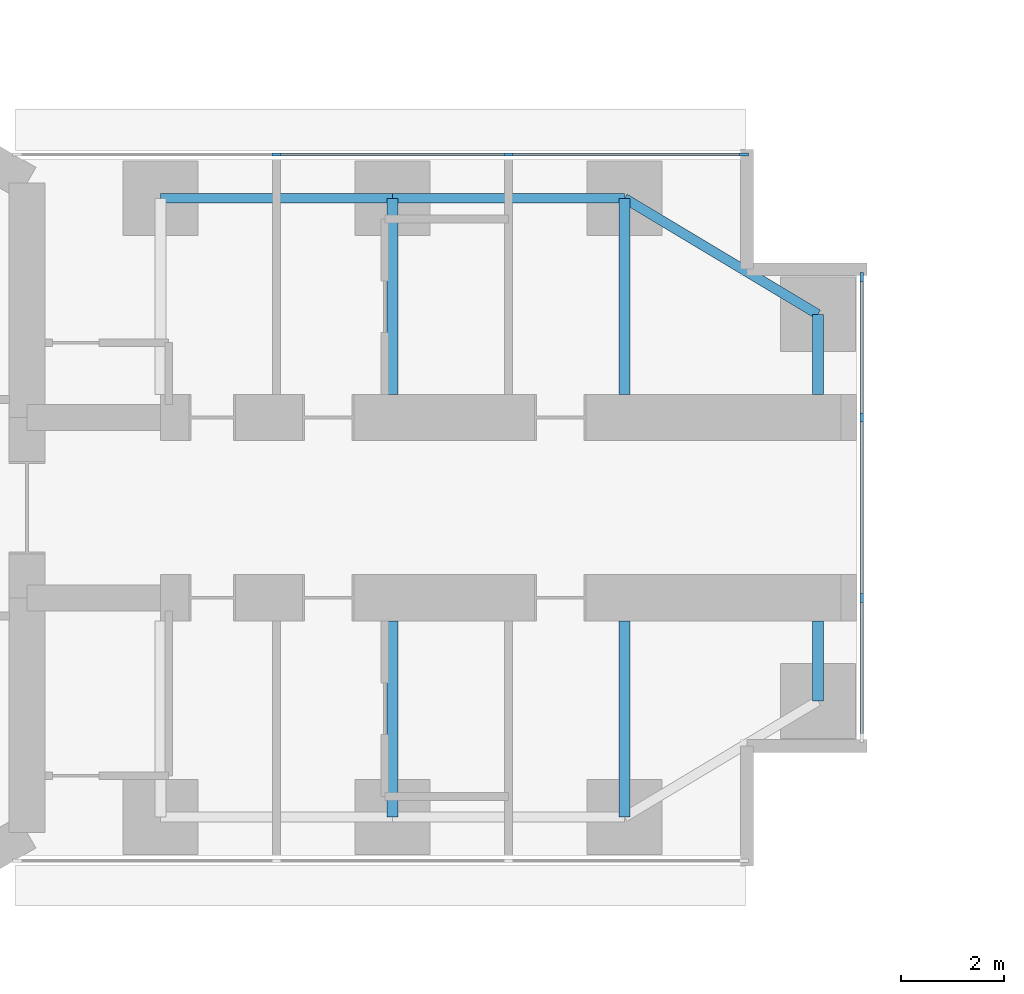
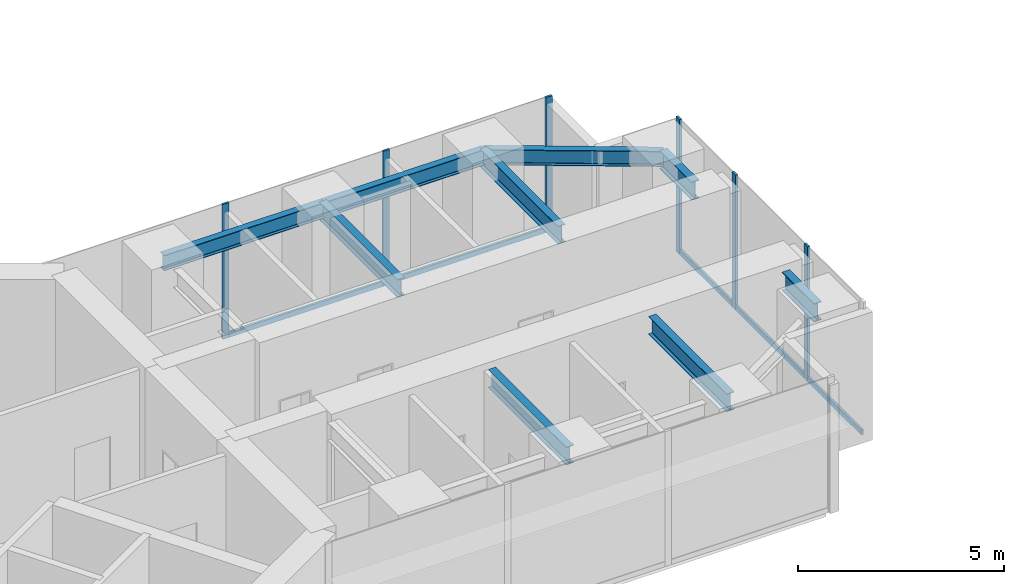
# One storey, part 8 of 24: 11 members, 9 beams, 2 elements without a shape of their own.
"""IFC4 building model written with IfcOpenShell, lengths in metres."""

from ifc_helpers import new_model, si_unit, direction, frame, origin, origin_2d, place, context, subcontext, project, spatial, rectangle, i_section, extrude, material, material_profile, profile_set, type_object, element, aggregate, save


model = new_model("IFC4")

# Units and contexts
model_context = context("Model", 3, precision=1e-05, world=origin(), true_north=direction((0.0, 1.0)))
body_context = subcontext(model_context, "Body", "Model", "MODEL_VIEW")
ifc_project = project(units=[si_unit("LENGTHUNIT", "METRE"), si_unit("AREAUNIT", "SQUARE_METRE"), si_unit("VOLUMEUNIT", "CUBIC_METRE"), si_unit("PLANEANGLEUNIT", "RADIAN"), si_unit("MASSUNIT", "GRAM", prefix="KILO")], contexts=[model_context])

# Site, building, storey
site_placement = place(None, origin())
site = spatial("IfcSite", under=ifc_project, at=site_placement, CompositionType="ELEMENT")
building_placement = place(site_placement, origin())
building = spatial("IfcBuilding", under=site, at=building_placement, Name="Upepo Twin Towers", CompositionType="ELEMENT")
storey_placement = place(building_placement, frame((0.0, 0.0, 64.5)))
storey = spatial("IfcBuildingStorey", under=building, at=storey_placement, Name="L15", CompositionType="ELEMENT", Elevation=64.5)

# Beams
ifc_material_1 = material(Name="Steel S355", Category="steel")
ifc_material_profile_1 = material_profile(ifc_material_1, i_section(OverallWidth=0.1904296875, OverallDepth=0.45703125, WebThickness=0.009033203125, FlangeThickness=0.014404296875, FilletRadius=0.01025390625, at=origin_2d()), Name="UB 457x191x74")
ifc_profile_set_1 = profile_set([ifc_material_profile_1], Name="Steel S355")
beam_type_1 = type_object("IfcBeamType", Name="Beam UB 457x191x74", PredefinedType="BEAM", material=ifc_profile_set_1)
for number, where, z_axis, x_axis, name in (
    (1, (13.5, 6.0, 3.571533203125), (1.0, 0.0, 0.0), (0.0, 1.0, 0.0), "T1 edge beam AL 13.5-18.0"),
    (2, (18.0, 6.0, 3.571533203125), (1.0, 0.0, 0.0), (0.0, 1.0, 0.0), "T1 edge beam AL 18.0-22.5"),
):
    element("IfcBeam", number, at=place(storey_placement, frame(where, z_axis=z_axis, x_axis=x_axis)), inside=storey, type_object=beam_type_1, Name=name, PredefinedType="BEAM", context=body_context, shape_type="SweptSolid", body=[
        extrude(i_section(OverallWidth=0.1904296875, OverallDepth=0.45703125, WebThickness=0.009033203125, FlangeThickness=0.014404296875, FilletRadius=0.01025390625, at=origin_2d()), origin(), (0.0, 0.0, 1.0), 4.5),
    ])
beam_placement = place(storey_placement, frame((22.5, 6.0, 3.571533203125), z_axis=(0.857492925713, -0.514495755428, 0.0), x_axis=(0.514495755428, 0.857492925713, 0.0)))
element("IfcBeam", 3, at=beam_placement, inside=storey, type_object=beam_type_1, Name="T1 nose edge beam AL", PredefinedType="BEAM", context=body_context, shape_type="SweptSolid", body=[
    extrude(i_section(OverallWidth=0.1904296875, OverallDepth=0.45703125, WebThickness=0.009033203125, FlangeThickness=0.014404296875, FilletRadius=0.01025390625, at=origin_2d()), origin(), (0.0, 0.0, 1.0), 4.373291015625),
])
ifc_material_2 = material(Name="Steel S355", Category="steel")
ifc_material_profile_2 = material_profile(ifc_material_2, i_section(OverallWidth=0.2119140625, OverallDepth=0.54443359375, WebThickness=0.0126953125, FlangeThickness=0.021240234375, FilletRadius=0.0126953125, at=origin_2d()), Name="UB 533x210x122")
ifc_profile_set_2 = profile_set([ifc_material_profile_2], Name="Steel S355")
beam_type_2 = type_object("IfcBeamType", Name="Beam UB 533x210x122", PredefinedType="BEAM", material=ifc_profile_set_2)
for number, where, z_axis, x_axis, name in (
    (4, (26.25, 3.75, 3.52783203125), (0.0, -1.0, 0.0), (1.0, 0.0, 0.0), "T1 nose beam AL"),
    (5, (26.25, -3.75, 3.52783203125), (0.0, 1.0, 0.0), (-1.0, 0.0, 0.0), "T1 nose beam AR"),
):
    element("IfcBeam", number, at=place(storey_placement, frame(where, z_axis=z_axis, x_axis=x_axis)), inside=storey, type_object=beam_type_2, Name=name, PredefinedType="BEAM", context=body_context, shape_type="SweptSolid", body=[
        extrude(i_section(OverallWidth=0.2119140625, OverallDepth=0.54443359375, WebThickness=0.0126953125, FlangeThickness=0.021240234375, FilletRadius=0.0126953125, at=origin_2d()), origin(), (0.0, 0.0, 1.0), 1.550048828125),
    ])
ifc_material_3 = material(Name="Steel S355", Category="steel")
ifc_material_profile_3 = material_profile(ifc_material_3, i_section(OverallWidth=0.209228515625, OverallDepth=0.533203125, WebThickness=0.010009765625, FlangeThickness=0.015625, FilletRadius=0.0126953125, at=origin_2d()), Name="UB 533x210x92")
ifc_profile_set_3 = profile_set([ifc_material_profile_3], Name="Steel S355")
beam_type_3 = type_object("IfcBeamType", Name="Beam UB 533x210x92", PredefinedType="BEAM", material=ifc_profile_set_3)
for number, where, z_axis, x_axis, name in (
    (6, (18.0, 6.0, 3.533447265625), (0.0, -1.0, 0.0), (1.0, 0.0, 0.0), "T1 girder AL at 18.0"),
    (7, (22.5, 6.0, 3.533447265625), (0.0, -1.0, 0.0), (1.0, 0.0, 0.0), "T1 girder AL at 22.5"),
    (8, (18.0, -6.0, 3.533447265625), (0.0, 1.0, 0.0), (-1.0, 0.0, 0.0), "T1 girder AR at 18.0"),
    (9, (22.5, -6.0, 3.533447265625), (0.0, 1.0, 0.0), (-1.0, 0.0, 0.0), "T1 girder AR at 22.5"),
):
    element("IfcBeam", number, at=place(storey_placement, frame(where, z_axis=z_axis, x_axis=x_axis)), inside=storey, type_object=beam_type_3, Name=name, PredefinedType="BEAM", context=body_context, shape_type="SweptSolid", body=[
        extrude(i_section(OverallWidth=0.209228515625, OverallDepth=0.533203125, WebThickness=0.010009765625, FlangeThickness=0.015625, FilletRadius=0.0126953125, at=origin_2d()), origin(), (0.0, 0.0, 1.0), 3.800048828125),
    ])

# Curtain wall, members
ifc_material_4 = material(Name="Aluminium and fritted glass", Category="aluminium")
curtain_wall_type = type_object("IfcCurtainWallType", Name="Tower curtain wall TW1, fritted glass", PredefinedType="NOTDEFINED", material=ifc_material_4)
curtain_wall_1_placement = place(storey_placement, origin())
curtain_wall_1 = element("IfcCurtainWall", 10, at=curtain_wall_1_placement, inside=storey, type_object=curtain_wall_type, Name="T1 L15 wing A flank L curtain wall", PredefinedType="NOTDEFINED")
ifc_material_5 = material(Name="Aluminium mullion", Category="aluminium")
ifc_material_profile_4 = material_profile(ifc_material_5, rectangle(XDim=0.06494140625, YDim=0.179931640625, at=origin_2d()), Name="MULLION 65x180")
ifc_profile_set_4 = profile_set([ifc_material_profile_4], Name="Aluminium mullion")
member_type_1 = type_object("IfcMemberType", Name="Mullion 65x180 TW1", PredefinedType="MULLION", material=ifc_profile_set_4)
member_1_placement = place(storey_placement, frame((15.75, 6.85009765625, 0.0), z_axis=(0.0, 0.0, 1.0), x_axis=(0.0, 1.0, 0.0)))
member_1 = element("IfcMember", 11, at=member_1_placement, type_object=member_type_1, Name="T1 L15 wing A flank L curtain wall mullion 2", PredefinedType="MULLION", context=body_context, shape_type="SweptSolid", body=[
    extrude(rectangle(XDim=0.06494140625, YDim=0.179931640625, at=origin_2d()), origin(), (0.0, 0.0, 1.0), 4.0),
])
member_2_placement = place(storey_placement, frame((20.25, 6.85009765625, 0.0), z_axis=(0.0, 0.0, 1.0), x_axis=(0.0, 1.0, 0.0)))
member_2 = element("IfcMember", 12, at=member_2_placement, type_object=member_type_1, Name="T1 L15 wing A flank L curtain wall mullion 3", PredefinedType="MULLION", context=body_context, shape_type="SweptSolid", body=[
    extrude(rectangle(XDim=0.06494140625, YDim=0.179931640625, at=origin_2d()), origin(), (0.0, 0.0, 1.0), 4.0),
])
member_3_placement = place(storey_placement, frame((24.8173828125, 6.85009765625, 0.0), z_axis=(0.0, 0.0, 1.0), x_axis=(0.0, 1.0, 0.0)))
member_3 = element("IfcMember", 13, at=member_3_placement, type_object=member_type_1, Name="T1 L15 wing A flank L curtain wall mullion 4", PredefinedType="MULLION", context=body_context, shape_type="SweptSolid", body=[
    extrude(rectangle(XDim=0.06494140625, YDim=0.179931640625, at=origin_2d()), origin(), (0.0, 0.0, 1.0), 4.0),
])

curtain_wall_2_placement = place(storey_placement, origin())
curtain_wall_2 = element("IfcCurtainWall", 14, at=curtain_wall_2_placement, inside=storey, type_object=curtain_wall_type, Name="T1 L15 wing A nose curtain wall", PredefinedType="NOTDEFINED")
member_4_placement = place(storey_placement, frame((27.10009765625, -1.75, 0.0), z_axis=(0.0, 0.0, 1.0), x_axis=(-1.0, 0.0, 0.0)))
member_4 = element("IfcMember", 15, at=member_4_placement, type_object=member_type_1, Name="T1 L15 wing A nose curtain wall mullion 2", PredefinedType="MULLION", context=body_context, shape_type="SweptSolid", body=[
    extrude(rectangle(XDim=0.06494140625, YDim=0.179931640625, at=origin_2d()), origin(), (0.0, 0.0, 1.0), 4.0),
])
member_5_placement = place(storey_placement, frame((27.10009765625, 1.75, 0.0), z_axis=(0.0, 0.0, 1.0), x_axis=(-1.0, 0.0, 0.0)))
member_5 = element("IfcMember", 16, at=member_5_placement, type_object=member_type_1, Name="T1 L15 wing A nose curtain wall mullion 3", PredefinedType="MULLION", context=body_context, shape_type="SweptSolid", body=[
    extrude(rectangle(XDim=0.06494140625, YDim=0.179931640625, at=origin_2d()), origin(), (0.0, 0.0, 1.0), 4.0),
])
member_6_placement = place(storey_placement, frame((27.10009765625, 4.467529296875, 0.0), z_axis=(0.0, 0.0, 1.0), x_axis=(-1.0, 0.0, 0.0)))
member_6 = element("IfcMember", 17, at=member_6_placement, type_object=member_type_1, Name="T1 L15 wing A nose curtain wall mullion 4", PredefinedType="MULLION", context=body_context, shape_type="SweptSolid", body=[
    extrude(rectangle(XDim=0.06494140625, YDim=0.179931640625, at=origin_2d()), origin(), (0.0, 0.0, 1.0), 4.0),
])

# Member
ifc_material_6 = material(Name="Aluminium transom", Category="aluminium")
ifc_material_profile_5 = material_profile(ifc_material_6, rectangle(XDim=0.06494140625, YDim=0.14990234375, at=origin_2d()), Name="TRANSOM 65x150")
ifc_profile_set_5 = profile_set([ifc_material_profile_5], Name="Aluminium transom")
member_type_2 = type_object("IfcMemberType", Name="Transom 65x150 TW1", PredefinedType="USERDEFINED", material=ifc_profile_set_5)
member_7_placement = place(storey_placement, frame((15.782470703125, 6.85009765625, 0.074951171875), z_axis=(1.0, 0.0, 0.0), x_axis=(0.0, 1.0, 0.0)))
member_7 = element("IfcMember", 18, at=member_7_placement, type_object=member_type_2, Name="T1 L15 wing A flank L curtain wall transom 2", ObjectType="TRANSOM", PredefinedType="USERDEFINED", context=body_context, shape_type="SweptSolid", body=[
    extrude(rectangle(XDim=0.06494140625, YDim=0.14990234375, at=origin_2d()), origin(), (0.0, 0.0, 1.0), 4.43505859375),
])

member_8_placement = place(storey_placement, frame((20.282470703125, 6.85009765625, 0.074951171875), z_axis=(1.0, 0.0, 0.0), x_axis=(0.0, 1.0, 0.0)))
member_8 = element("IfcMember", 19, at=member_8_placement, type_object=member_type_2, Name="T1 L15 wing A flank L curtain wall transom 3", ObjectType="TRANSOM", PredefinedType="USERDEFINED", context=body_context, shape_type="SweptSolid", body=[
    extrude(rectangle(XDim=0.06494140625, YDim=0.14990234375, at=origin_2d()), origin(), (0.0, 0.0, 1.0), 4.50244140625),
])

aggregate(curtain_wall_1, [member_1, member_2, member_3, member_7, member_8])

member_9_placement = place(storey_placement, frame((27.10009765625, -4.43505859375, 0.074951171875), z_axis=(0.0, 1.0, 0.0), x_axis=(-1.0, 0.0, 0.0)))
member_9 = element("IfcMember", 20, at=member_9_placement, type_object=member_type_2, Name="T1 L15 wing A nose curtain wall transom 1", ObjectType="TRANSOM", PredefinedType="USERDEFINED", context=body_context, shape_type="SweptSolid", body=[
    extrude(rectangle(XDim=0.06494140625, YDim=0.14990234375, at=origin_2d()), origin(), (0.0, 0.0, 1.0), 2.652587890625),
])

member_10_placement = place(storey_placement, frame((27.10009765625, -1.717529296875, 0.074951171875), z_axis=(0.0, 1.0, 0.0), x_axis=(-1.0, 0.0, 0.0)))
member_10 = element("IfcMember", 21, at=member_10_placement, type_object=member_type_2, Name="T1 L15 wing A nose curtain wall transom 2", ObjectType="TRANSOM", PredefinedType="USERDEFINED", context=body_context, shape_type="SweptSolid", body=[
    extrude(rectangle(XDim=0.06494140625, YDim=0.14990234375, at=origin_2d()), origin(), (0.0, 0.0, 1.0), 3.43505859375),
])

member_11_placement = place(storey_placement, frame((27.10009765625, 1.782470703125, 0.074951171875), z_axis=(0.0, 1.0, 0.0), x_axis=(-1.0, 0.0, 0.0)))
member_11 = element("IfcMember", 22, at=member_11_placement, type_object=member_type_2, Name="T1 L15 wing A nose curtain wall transom 3", ObjectType="TRANSOM", PredefinedType="USERDEFINED", context=body_context, shape_type="SweptSolid", body=[
    extrude(rectangle(XDim=0.06494140625, YDim=0.14990234375, at=origin_2d()), origin(), (0.0, 0.0, 1.0), 2.652587890625),
])

aggregate(curtain_wall_2, [member_4, member_5, member_6, member_9, member_10, member_11])

save(model, "model.ifc")
